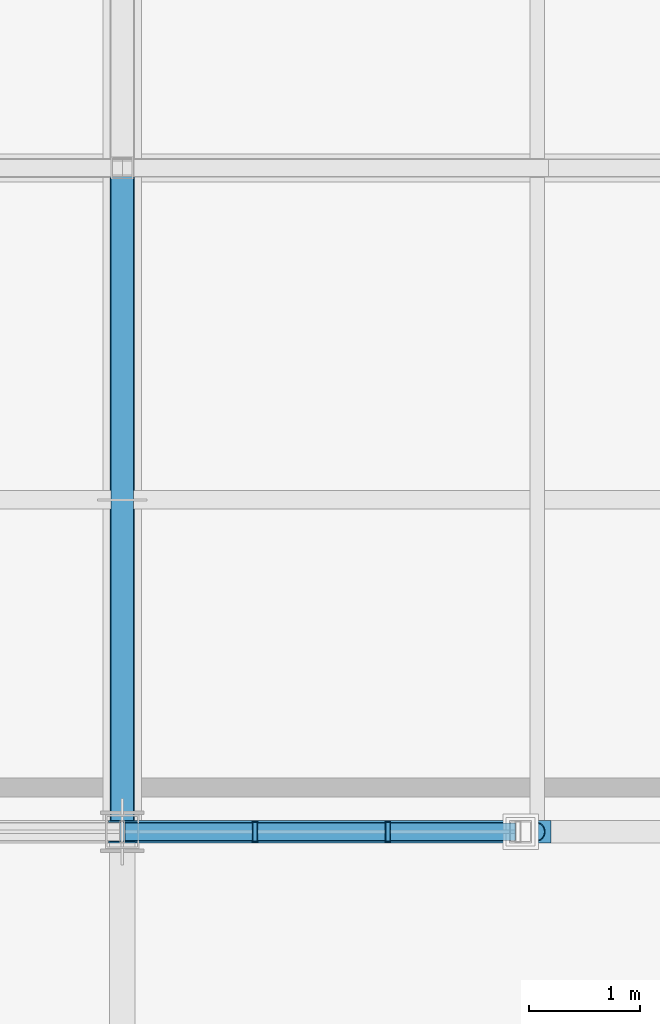
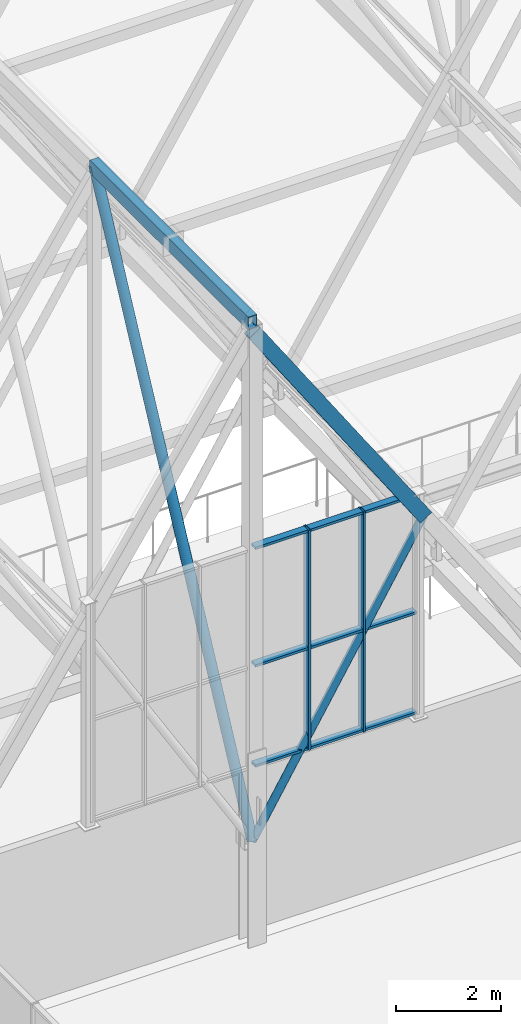
# One storey, part 83 of 324: 15 members, 1 element without a shape of its own.
"""IFC4 building model written with IfcOpenShell, lengths in metres."""

from ifc_helpers import new_model, si_unit, direction, frame, origin, origin_2d, place, context, subcontext, project, spatial, hollow_rectangle, hollow_circle, extrude, material, layer, layer_set, material_profile, profile_set, type_object, element, aggregate, save


model = new_model("IFC4")

# Units and contexts
model_context = context("Model", 3, precision=1e-05, world=origin(), true_north=direction((0.0, 1.0)))
body_context = subcontext(model_context, "Body", "Model", "MODEL_VIEW")
ifc_project = project(units=[si_unit("LENGTHUNIT", "METRE"), si_unit("AREAUNIT", "SQUARE_METRE"), si_unit("VOLUMEUNIT", "CUBIC_METRE"), si_unit("PLANEANGLEUNIT", "RADIAN"), si_unit("MASSUNIT", "GRAM", prefix="KILO")], contexts=[model_context])

# Site, building, storey
site_placement = place(None, origin())
site = spatial("IfcSite", under=ifc_project, at=site_placement, CompositionType="ELEMENT")
building_placement = place(site_placement, origin())
building = spatial("IfcBuilding", under=site, at=building_placement, Name="Solvenia Promenade Tram Depot", CompositionType="ELEMENT")
storey_placement = place(building_placement, frame((0.0, 0.0, 4.5)))
storey = spatial("IfcBuildingStorey", under=building, at=storey_placement, Name="L01", CompositionType="ELEMENT", Elevation=4.5)

# Member
ifc_material_1 = material(Name="Structural steel ASTM A500 Gr. C", Category="steel")
ifc_material_profile_1 = material_profile(ifc_material_1, hollow_circle(Radius=0.109619140625, WallThickness=0.008056640625, at=origin_2d()), Name="CHS219.1x8", Category="steel")
ifc_profile_set_1 = profile_set([ifc_material_profile_1], Name="Structural steel ASTM A500 Gr. C")
member_type_1 = type_object("IfcMemberType", Name="Brace-CHS219x8", PredefinedType="BRACE", material=ifc_profile_set_1)
member_1_placement = place(storey_placement, frame((7.5, 66.0, 2.320068359375), z_axis=(0.0, 0.447068059613, 0.894499944144), x_axis=(-1.0, 0.0, 0.0)))
element("IfcMember", 1, at=member_1_placement, inside=storey, type_object=member_type_1, Name="Arched Truss T02 Web Diagonal S01", PredefinedType="BRACE", context=body_context, shape_type="SweptSolid", body=[
    extrude(hollow_circle(Radius=0.109619140625, WallThickness=0.008056640625, at=origin_2d()), origin(), (0.0, 0.0, 1.0), 13.420654296875),
])

# Curtain wall, members
ifc_material_2 = material(Name="Anodized aluminium AW-6063 T6", Category="aluminium")
ifc_layer = layer(ifc_material_2, 0.14990234375, Name="Anodized aluminium AW-6063 T6", Category="aluminium")
ifc_layer_set = layer_set([ifc_layer], Name="Anodized aluminium AW-6063 T6")
curtain_wall_type = type_object("IfcCurtainWallType", Name="CW-Gable-1200", PredefinedType="NOTDEFINED", material=ifc_layer_set)
curtain_wall_placement = place(storey_placement, origin())
curtain_wall = element("IfcCurtainWall", 2, at=curtain_wall_placement, inside=storey, type_object=curtain_wall_type, Name="South Zigzag Gable 01 Peak Glazing", PredefinedType="NOTDEFINED")
ifc_material_profile_2 = material_profile(ifc_material_2, hollow_rectangle(XDim=0.199951171875, YDim=0.048095703125, WallThickness=0.00390625, at=origin_2d()), Name="ALU-M3", Category="aluminium")
ifc_profile_set_2 = profile_set([ifc_material_profile_2], Name="Anodized aluminium AW-6063 T6")
member_type_2 = type_object("IfcMemberType", Name="CWM-Mullion-3", PredefinedType="MULLION", material=ifc_profile_set_2)
member_2_placement = place(storey_placement, frame((8.699951171875, 66.0, 4.050048828125), z_axis=(0.0, 0.0, 1.0), x_axis=(0.0, 1.0, 0.0)))
member_2 = element("IfcMember", 3, at=member_2_placement, type_object=member_type_2, Name="CW-3 mullion 5", PredefinedType="MULLION", context=body_context, shape_type="SweptSolid", body=[
    extrude(hollow_rectangle(XDim=0.199951171875, YDim=0.048095703125, WallThickness=0.00390625, at=origin_2d()), origin(), (0.0, 0.0, 1.0), 5.099853515625),
])
member_3_placement = place(storey_placement, frame((9.89990234375, 66.0, 4.050048828125), z_axis=(0.0, 0.0, 1.0), x_axis=(0.0, 1.0, 0.0)))
member_3 = element("IfcMember", 4, at=member_3_placement, type_object=member_type_2, Name="CW-3 mullion 6", PredefinedType="MULLION", context=body_context, shape_type="SweptSolid", body=[
    extrude(hollow_rectangle(XDim=0.199951171875, YDim=0.048095703125, WallThickness=0.00390625, at=origin_2d()), origin(), (0.0, 0.0, 1.0), 5.099853515625),
])
ifc_material_profile_3 = material_profile(ifc_material_2, hollow_rectangle(XDim=0.159912109375, YDim=0.05810546875, WallThickness=0.00390625, at=origin_2d()), Name="ALU-T3", Category="aluminium")
ifc_profile_set_3 = profile_set([ifc_material_profile_3], Name="Anodized aluminium AW-6063 T6")
member_type_3 = type_object("IfcMemberType", Name="CWT-Transom-3", PredefinedType="USERDEFINED", material=ifc_profile_set_3)
member_4_placement = place(storey_placement, frame((7.52392578125, 66.0, 4.0791015625), z_axis=(1.0, 0.0, 0.0), x_axis=(0.0, 1.0, 0.0)))
member_4 = element("IfcMember", 5, at=member_4_placement, type_object=member_type_3, Name="CW-3 transom 4.1", ObjectType="TRANSOM", PredefinedType="USERDEFINED", context=body_context, shape_type="SweptSolid", body=[
    extrude(hollow_rectangle(XDim=0.159912109375, YDim=0.05810546875, WallThickness=0.00390625, at=origin_2d()), origin(), (0.0, 0.0, 1.0), 1.152099609375),
])
member_5_placement = place(storey_placement, frame((7.52392578125, 66.0, 6.39990234375), z_axis=(1.0, 0.0, 0.0), x_axis=(0.0, 1.0, 0.0)))
member_5 = element("IfcMember", 6, at=member_5_placement, type_object=member_type_3, Name="CW-3 transom 4.2", ObjectType="TRANSOM", PredefinedType="USERDEFINED", context=body_context, shape_type="SweptSolid", body=[
    extrude(hollow_rectangle(XDim=0.159912109375, YDim=0.05810546875, WallThickness=0.00390625, at=origin_2d()), origin(), (0.0, 0.0, 1.0), 1.152099609375),
])
member_6_placement = place(storey_placement, frame((7.52392578125, 66.0, 9.12109375), z_axis=(1.0, 0.0, 0.0), x_axis=(0.0, 1.0, 0.0)))
member_6 = element("IfcMember", 7, at=member_6_placement, type_object=member_type_3, Name="CW-3 transom 4.3", ObjectType="TRANSOM", PredefinedType="USERDEFINED", context=body_context, shape_type="SweptSolid", body=[
    extrude(hollow_rectangle(XDim=0.159912109375, YDim=0.05810546875, WallThickness=0.00390625, at=origin_2d()), origin(), (0.0, 0.0, 1.0), 1.152099609375),
])
member_7_placement = place(storey_placement, frame((8.72412109375, 66.0, 4.0791015625), z_axis=(1.0, 0.0, 0.0), x_axis=(0.0, 1.0, 0.0)))
member_7 = element("IfcMember", 8, at=member_7_placement, type_object=member_type_3, Name="CW-3 transom 5.1", ObjectType="TRANSOM", PredefinedType="USERDEFINED", context=body_context, shape_type="SweptSolid", body=[
    extrude(hollow_rectangle(XDim=0.159912109375, YDim=0.05810546875, WallThickness=0.00390625, at=origin_2d()), origin(), (0.0, 0.0, 1.0), 1.15185546875),
])
member_8_placement = place(storey_placement, frame((8.72412109375, 66.0, 6.39990234375), z_axis=(1.0, 0.0, 0.0), x_axis=(0.0, 1.0, 0.0)))
member_8 = element("IfcMember", 9, at=member_8_placement, type_object=member_type_3, Name="CW-3 transom 5.2", ObjectType="TRANSOM", PredefinedType="USERDEFINED", context=body_context, shape_type="SweptSolid", body=[
    extrude(hollow_rectangle(XDim=0.159912109375, YDim=0.05810546875, WallThickness=0.00390625, at=origin_2d()), origin(), (0.0, 0.0, 1.0), 1.15185546875),
])
member_9_placement = place(storey_placement, frame((8.72412109375, 66.0, 9.12109375), z_axis=(1.0, 0.0, 0.0), x_axis=(0.0, 1.0, 0.0)))
member_9 = element("IfcMember", 10, at=member_9_placement, type_object=member_type_3, Name="CW-3 transom 5.3", ObjectType="TRANSOM", PredefinedType="USERDEFINED", context=body_context, shape_type="SweptSolid", body=[
    extrude(hollow_rectangle(XDim=0.159912109375, YDim=0.05810546875, WallThickness=0.00390625, at=origin_2d()), origin(), (0.0, 0.0, 1.0), 1.15185546875),
])
member_10_placement = place(storey_placement, frame((9.924072265625, 66.0, 4.0791015625), z_axis=(1.0, 0.0, 0.0), x_axis=(0.0, 1.0, 0.0)))
member_10 = element("IfcMember", 11, at=member_10_placement, type_object=member_type_3, Name="CW-3 transom 6.1", ObjectType="TRANSOM", PredefinedType="USERDEFINED", context=body_context, shape_type="SweptSolid", body=[
    extrude(hollow_rectangle(XDim=0.159912109375, YDim=0.05810546875, WallThickness=0.00390625, at=origin_2d()), origin(), (0.0, 0.0, 1.0), 1.1279296875),
])
member_11_placement = place(storey_placement, frame((9.924072265625, 66.0, 6.39990234375), z_axis=(1.0, 0.0, 0.0), x_axis=(0.0, 1.0, 0.0)))
member_11 = element("IfcMember", 12, at=member_11_placement, type_object=member_type_3, Name="CW-3 transom 6.2", ObjectType="TRANSOM", PredefinedType="USERDEFINED", context=body_context, shape_type="SweptSolid", body=[
    extrude(hollow_rectangle(XDim=0.159912109375, YDim=0.05810546875, WallThickness=0.00390625, at=origin_2d()), origin(), (0.0, 0.0, 1.0), 1.1279296875),
])
member_12_placement = place(storey_placement, frame((9.924072265625, 66.0, 9.12109375), z_axis=(1.0, 0.0, 0.0), x_axis=(0.0, 1.0, 0.0)))
member_12 = element("IfcMember", 13, at=member_12_placement, type_object=member_type_3, Name="CW-3 transom 6.3", ObjectType="TRANSOM", PredefinedType="USERDEFINED", context=body_context, shape_type="SweptSolid", body=[
    extrude(hollow_rectangle(XDim=0.159912109375, YDim=0.05810546875, WallThickness=0.00390625, at=origin_2d()), origin(), (0.0, 0.0, 1.0), 1.1279296875),
])
aggregate(curtain_wall, [member_2, member_3, member_4, member_5, member_6, member_7, member_8, member_9, member_10, member_11, member_12])

# Members
ifc_material_profile_4 = material_profile(ifc_material_1, hollow_rectangle(XDim=0.199951171875, YDim=0.300048828125, WallThickness=0.012451171875, at=origin_2d()), Name="HSS300x200x12.5", Category="steel")
ifc_profile_set_4 = profile_set([ifc_material_profile_4], Name="Structural steel ASTM A500 Gr. C")
member_type_4 = type_object("IfcMemberType", Name="Chord-HSS300x200x12", PredefinedType="CHORD", material=ifc_profile_set_4)
member_13_placement = place(storey_placement, frame((7.5, 66.0, 14.324951171875), z_axis=(0.0, 1.0, 0.0), x_axis=(-1.0, 0.0, 0.0)))
element("IfcMember", 14, at=member_13_placement, inside=storey, type_object=member_type_4, Name="Arched Truss T02 Upper Chord S01", PredefinedType="CHORD", context=body_context, shape_type="SweptSolid", body=[
    extrude(hollow_rectangle(XDim=0.199951171875, YDim=0.300048828125, WallThickness=0.012451171875, at=origin_2d()), origin(), (0.0, 0.0, 1.0), 6.0),
])
member_14_placement = place(storey_placement, frame((7.5, 66.0, 14.132080078125), z_axis=(0.557259486914, 0.0, -0.83033840345), x_axis=(0.0, 1.0, 0.0)))
element("IfcMember", 15, at=member_14_placement, inside=storey, type_object=member_type_4, Name="Zigzag Gable 01 East Upper Rafter", PredefinedType="CHORD", context=body_context, shape_type="SweptSolid", body=[
    extrude(hollow_rectangle(XDim=0.199951171875, YDim=0.300048828125, WallThickness=0.012451171875, at=origin_2d()), origin(), (0.0, 0.0, 1.0), 6.729248046875),
])
ifc_material_profile_5 = material_profile(ifc_material_1, hollow_circle(Radius=0.084228515625, WallThickness=0.008056640625, at=origin_2d()), Name="CHS168.3x8", Category="steel")
ifc_profile_set_5 = profile_set([ifc_material_profile_5], Name="Structural steel ASTM A500 Gr. C")
member_type_5 = type_object("IfcMemberType", Name="WebDiag-CHS168x8", PredefinedType="BRACE", material=ifc_profile_set_5)
member_15_placement = place(storey_placement, frame((7.5, 66.0, 2.320068359375), z_axis=(0.516051243619, 0.0, 0.856557711984), x_axis=(0.0, 1.0, 0.0)))
element("IfcMember", 16, at=member_15_placement, inside=storey, type_object=member_type_5, Name="Zigzag Gable 01 East Knee Strut", PredefinedType="BRACE", context=body_context, shape_type="SweptSolid", body=[
    extrude(hollow_circle(Radius=0.084228515625, WallThickness=0.008056640625, at=origin_2d()), origin(), (0.0, 0.0, 1.0), 7.2666015625),
])

save(model, "model.ifc")
